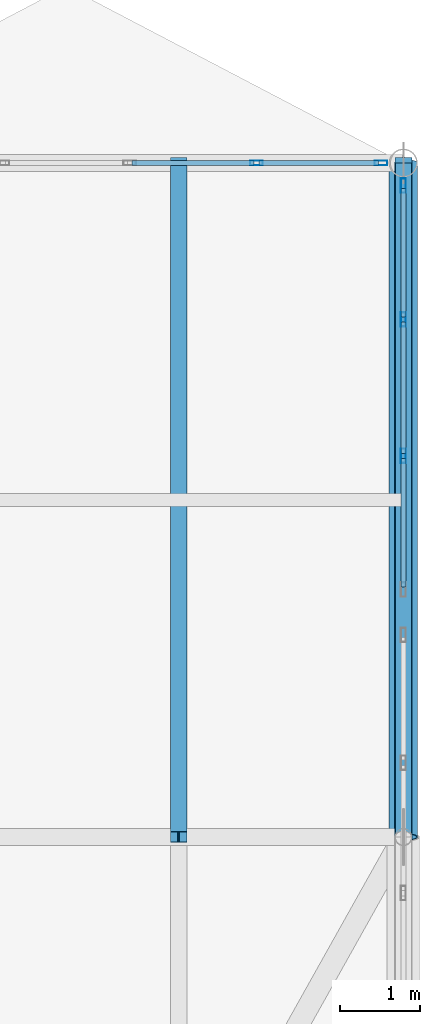
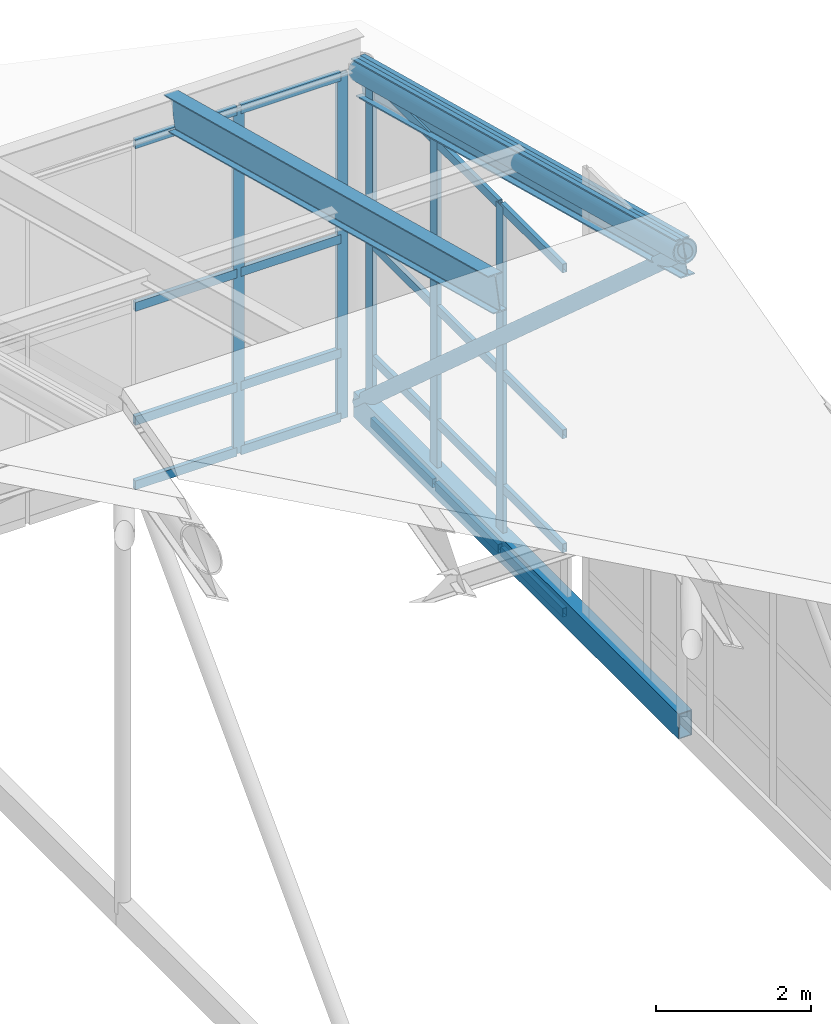
# One storey, part 35 of 43: 28 members, 2 beams, 2 elements without a shape of their own.
"""IFC4 building model written with IfcOpenShell, lengths in metres."""

from ifc_helpers import new_model, si_unit, direction, frame, origin, origin_2d, place, context, subcontext, project, spatial, hollow_rectangle, hollow_circle, i_section, extrude, material, layer, layer_set, material_profile, profile_set, type_object, element, aggregate, save


model = new_model("IFC4")

# Units and contexts
model_context = context("Model", 3, precision=1e-05, world=origin(), true_north=direction((0.0, 1.0)))
body_context = subcontext(model_context, "Body", "Model", "MODEL_VIEW")
ifc_project = project(units=[si_unit("LENGTHUNIT", "METRE"), si_unit("AREAUNIT", "SQUARE_METRE"), si_unit("VOLUMEUNIT", "CUBIC_METRE"), si_unit("PLANEANGLEUNIT", "RADIAN"), si_unit("MASSUNIT", "GRAM", prefix="KILO")], contexts=[model_context])

# Site, building, storey
site_placement = place(None, origin())
site = spatial("IfcSite", under=ifc_project, at=site_placement, CompositionType="ELEMENT")
building_placement = place(site_placement, origin())
building = spatial("IfcBuilding", under=site, at=building_placement, Name="Selat Folded Stagehouse", CompositionType="ELEMENT")
storey_placement = place(building_placement, frame((0.0, 0.0, 32.39990234375)))
storey = spatial("IfcBuildingStorey", under=building, at=storey_placement, Name="RF", CompositionType="ELEMENT", Elevation=32.39990234375)

# Beams
ifc_material_1 = material(Name="Steel S355", Category="steel")
ifc_material_profile_1 = material_profile(ifc_material_1, i_section(OverallWidth=0.210693359375, OverallDepth=0.53955078125, WebThickness=0.01171875, FlangeThickness=0.018798828125, FilletRadius=0.0126953125, at=origin_2d()), Name="UKB 533x210x109")
ifc_profile_set_1 = profile_set([ifc_material_profile_1], Name="Steel S355")
beam_type_1 = type_object("IfcBeamType", Name="BM-GIRD-533x210x109", PredefinedType="BEAM", material=ifc_profile_set_1)
beam_1_placement = place(storey_placement, frame((67.199951171875, 46.199951171875, 7.529296875), z_axis=(0.0, 0.966800633411, -0.25553186736), x_axis=(-1.0, 0.0, 0.0)))
element("IfcBeam", 1, at=beam_1_placement, inside=storey, type_object=beam_type_1, Name="RF primary north rafter beam 8", PredefinedType="BEAM", context=body_context, shape_type="SweptSolid", body=[
    extrude(i_section(OverallWidth=0.210693359375, OverallDepth=0.53955078125, WebThickness=0.01171875, FlangeThickness=0.018798828125, FilletRadius=0.0126953125, at=origin_2d()), origin(), (0.0, 0.0, 1.0), 8.688720703125),
])
ifc_material_profile_2 = material_profile(ifc_material_1, i_section(OverallWidth=0.209228515625, OverallDepth=0.533203125, WebThickness=0.010009765625, FlangeThickness=0.015625, FilletRadius=0.0126953125, at=origin_2d()), Name="UKB 533x210x92")
ifc_profile_set_2 = profile_set([ifc_material_profile_2], Name="Steel S355")
beam_type_2 = type_object("IfcBeamType", Name="BM-GIRD-533x210x92", PredefinedType="BEAM", material=ifc_profile_set_2)
beam_2_placement = place(storey_placement, frame((64.39990234375, 46.199951171875, 7.943359375), z_axis=(0.0, 0.966807574904, -0.255505602889), x_axis=(-1.0, 0.0, 0.0)))
element("IfcBeam", 2, at=beam_2_placement, inside=storey, type_object=beam_type_2, Name="RF bay 7 E north sub-rafter", PredefinedType="BEAM", context=body_context, shape_type="SweptSolid", body=[
    extrude(i_section(OverallWidth=0.209228515625, OverallDepth=0.533203125, WebThickness=0.010009765625, FlangeThickness=0.015625, FilletRadius=0.0126953125, at=origin_2d()), origin(), (0.0, 0.0, 1.0), 8.6884765625),
])

# Curtain wall, members
ifc_material_2 = material(Name="Aluminium 6063-T6", Category="aluminium")
ifc_layer = layer(ifc_material_2, 0.169921875)
ifc_layer_set = layer_set([ifc_layer], Name="Aluminium 6063-T6")
curtain_wall_type = type_object("IfcCurtainWallType", Name="CW-CRN-CLER", PredefinedType="NOTDEFINED", material=ifc_layer_set)
curtain_wall_1_placement = place(storey_placement, origin())
curtain_wall_1 = element("IfcCurtainWall", 3, at=curtain_wall_1_placement, inside=storey, type_object=curtain_wall_type, Name="RF curtain wall CW-RF-N-06", PredefinedType="NOTDEFINED")
ifc_material_profile_3 = material_profile(ifc_material_2, hollow_rectangle(XDim=0.06005859375, YDim=0.159912109375, WallThickness=0.00390625, at=origin_2d()), Name="ALU 160x60x4.0")
ifc_profile_set_3 = profile_set([ifc_material_profile_3], Name="Aluminium 6063-T6")
member_type_1 = type_object("IfcMemberType", Name="CWM-MUL-160x60", PredefinedType="MULLION", material=ifc_profile_set_3)
member_1_placement = place(storey_placement, frame((65.3701171875, 54.60009765625, 0.0), z_axis=(0.0, 0.0, 1.0), x_axis=(0.0, 1.0, 0.0)))
member_1 = element("IfcMember", 4, at=member_1_placement, type_object=member_type_1, Name="CW-09 mullion 5", PredefinedType="MULLION", context=body_context, shape_type="SweptSolid", body=[
    extrude(hollow_rectangle(XDim=0.06005859375, YDim=0.159912109375, WallThickness=0.00390625, at=origin_2d()), origin(), (0.0, 0.0, 1.0), 5.4501953125),
])
member_2_placement = place(storey_placement, frame((66.919921875, 54.60009765625, 0.0), z_axis=(0.0, 0.0, 1.0), x_axis=(0.0, 1.0, 0.0)))
member_2 = element("IfcMember", 5, at=member_2_placement, type_object=member_type_1, Name="CW-09 mullion 6", PredefinedType="MULLION", context=body_context, shape_type="SweptSolid", body=[
    extrude(hollow_rectangle(XDim=0.06005859375, YDim=0.159912109375, WallThickness=0.00390625, at=origin_2d()), origin(), (0.0, 0.0, 1.0), 5.4501953125),
])

curtain_wall_2_placement = place(storey_placement, origin())
curtain_wall_2 = element("IfcCurtainWall", 6, at=curtain_wall_2_placement, inside=storey, type_object=curtain_wall_type, Name="RF curtain wall CW-RF-E-00", PredefinedType="NOTDEFINED")
ifc_material_profile_4 = material_profile(ifc_material_2, hollow_rectangle(XDim=0.06494140625, YDim=0.179931640625, WallThickness=0.00390625, at=origin_2d()), Name="ALU 180x65x4.0")
ifc_profile_set_4 = profile_set([ifc_material_profile_4], Name="Aluminium 6063-T6")
member_type_2 = type_object("IfcMemberType", Name="CWM-MUL-180x65", PredefinedType="MULLION", material=ifc_profile_set_4)
member_3_placement = place(storey_placement, frame((67.199951171875, 54.3173828125, 0.0), z_axis=(0.0, 0.0, 1.0), x_axis=(1.0, 0.0, 0.0)))
member_3 = element("IfcMember", 7, at=member_3_placement, type_object=member_type_2, Name="CW-09 mullion 1", PredefinedType="MULLION", context=body_context, shape_type="SweptSolid", body=[
    extrude(hollow_rectangle(XDim=0.06494140625, YDim=0.179931640625, WallThickness=0.00390625, at=origin_2d()), origin(), (0.0, 0.0, 1.0), 5.5),
])
member_4_placement = place(storey_placement, frame((67.199951171875, 52.64990234375, 0.0), z_axis=(0.0, 0.0, 1.0), x_axis=(1.0, 0.0, 0.0)))
member_4 = element("IfcMember", 8, at=member_4_placement, type_object=member_type_2, Name="CW-09 mullion 2", PredefinedType="MULLION", context=body_context, shape_type="SweptSolid", body=[
    extrude(hollow_rectangle(XDim=0.06494140625, YDim=0.179931640625, WallThickness=0.00390625, at=origin_2d()), origin(), (0.0, 0.0, 1.0), 5.5),
])
member_5_placement = place(storey_placement, frame((67.199951171875, 50.949951171875, 0.0), z_axis=(0.0, 0.0, 1.0), x_axis=(1.0, 0.0, 0.0)))
member_5 = element("IfcMember", 9, at=member_5_placement, type_object=member_type_2, Name="CW-09 mullion 3", PredefinedType="MULLION", context=body_context, shape_type="SweptSolid", body=[
    extrude(hollow_rectangle(XDim=0.06494140625, YDim=0.179931640625, WallThickness=0.00390625, at=origin_2d()), origin(), (0.0, 0.0, 1.0), 5.5),
])

# Member
ifc_material_profile_5 = material_profile(ifc_material_2, hollow_rectangle(XDim=0.06494140625, YDim=0.139892578125, WallThickness=0.00390625, at=origin_2d()), Name="ALU 140x65x4.0")
ifc_profile_set_5 = profile_set([ifc_material_profile_5], Name="Aluminium 6063-T6")
member_type_3 = type_object("IfcMemberType", Name="CWM-TRN-140x65", PredefinedType="USERDEFINED", material=ifc_profile_set_5)
member_6_placement = place(storey_placement, frame((63.820068359375, 54.60009765625, 0.03271484375), z_axis=(1.0, 0.0, 0.0), x_axis=(0.0, 1.0, 0.0)))
member_6 = element("IfcMember", 10, at=member_6_placement, type_object=member_type_3, Name="CW-09 transom 4.1", ObjectType="TRANSOM", PredefinedType="USERDEFINED", context=body_context, shape_type="SweptSolid", body=[
    extrude(hollow_rectangle(XDim=0.06494140625, YDim=0.139892578125, WallThickness=0.00390625, at=origin_2d()), origin(), (0.0, 0.0, 1.0), 1.52001953125),
])

member_7_placement = place(storey_placement, frame((63.820068359375, 54.60009765625, 1.050048828125), z_axis=(1.0, 0.0, 0.0), x_axis=(0.0, 1.0, 0.0)))
member_7 = element("IfcMember", 11, at=member_7_placement, type_object=member_type_3, Name="CW-09 transom 4.2", ObjectType="TRANSOM", PredefinedType="USERDEFINED", context=body_context, shape_type="SweptSolid", body=[
    extrude(hollow_rectangle(XDim=0.06494140625, YDim=0.139892578125, WallThickness=0.00390625, at=origin_2d()), origin(), (0.0, 0.0, 1.0), 1.52001953125),
])

member_8_placement = place(storey_placement, frame((63.820068359375, 54.60009765625, 2.85009765625), z_axis=(1.0, 0.0, 0.0), x_axis=(0.0, 1.0, 0.0)))
member_8 = element("IfcMember", 12, at=member_8_placement, type_object=member_type_3, Name="CW-09 transom 4.3", ObjectType="TRANSOM", PredefinedType="USERDEFINED", context=body_context, shape_type="SweptSolid", body=[
    extrude(hollow_rectangle(XDim=0.06494140625, YDim=0.139892578125, WallThickness=0.00390625, at=origin_2d()), origin(), (0.0, 0.0, 1.0), 1.52001953125),
])

member_9_placement = place(storey_placement, frame((63.820068359375, 54.60009765625, 5.41748046875), z_axis=(1.0, 0.0, 0.0), x_axis=(0.0, 1.0, 0.0)))
member_9 = element("IfcMember", 13, at=member_9_placement, type_object=member_type_3, Name="CW-09 transom 4.4", ObjectType="TRANSOM", PredefinedType="USERDEFINED", context=body_context, shape_type="SweptSolid", body=[
    extrude(hollow_rectangle(XDim=0.06494140625, YDim=0.139892578125, WallThickness=0.00390625, at=origin_2d()), origin(), (0.0, 0.0, 1.0), 1.52001953125),
])

member_10_placement = place(storey_placement, frame((65.39990234375, 54.60009765625, 0.03271484375), z_axis=(1.0, 0.0, 0.0), x_axis=(0.0, 1.0, 0.0)))
member_10 = element("IfcMember", 14, at=member_10_placement, type_object=member_type_3, Name="CW-09 transom 5.1", ObjectType="TRANSOM", PredefinedType="USERDEFINED", context=body_context, shape_type="SweptSolid", body=[
    extrude(hollow_rectangle(XDim=0.06494140625, YDim=0.139892578125, WallThickness=0.00390625, at=origin_2d()), origin(), (0.0, 0.0, 1.0), 1.489990234375),
])

member_11_placement = place(storey_placement, frame((65.39990234375, 54.60009765625, 1.050048828125), z_axis=(1.0, 0.0, 0.0), x_axis=(0.0, 1.0, 0.0)))
member_11 = element("IfcMember", 15, at=member_11_placement, type_object=member_type_3, Name="CW-09 transom 5.2", ObjectType="TRANSOM", PredefinedType="USERDEFINED", context=body_context, shape_type="SweptSolid", body=[
    extrude(hollow_rectangle(XDim=0.06494140625, YDim=0.139892578125, WallThickness=0.00390625, at=origin_2d()), origin(), (0.0, 0.0, 1.0), 1.489990234375),
])

member_12_placement = place(storey_placement, frame((65.39990234375, 54.60009765625, 2.85009765625), z_axis=(1.0, 0.0, 0.0), x_axis=(0.0, 1.0, 0.0)))
member_12 = element("IfcMember", 16, at=member_12_placement, type_object=member_type_3, Name="CW-09 transom 5.3", ObjectType="TRANSOM", PredefinedType="USERDEFINED", context=body_context, shape_type="SweptSolid", body=[
    extrude(hollow_rectangle(XDim=0.06494140625, YDim=0.139892578125, WallThickness=0.00390625, at=origin_2d()), origin(), (0.0, 0.0, 1.0), 1.489990234375),
])

member_13_placement = place(storey_placement, frame((65.39990234375, 54.60009765625, 5.41748046875), z_axis=(1.0, 0.0, 0.0), x_axis=(0.0, 1.0, 0.0)))
member_13 = element("IfcMember", 17, at=member_13_placement, type_object=member_type_3, Name="CW-09 transom 5.4", ObjectType="TRANSOM", PredefinedType="USERDEFINED", context=body_context, shape_type="SweptSolid", body=[
    extrude(hollow_rectangle(XDim=0.06494140625, YDim=0.139892578125, WallThickness=0.00390625, at=origin_2d()), origin(), (0.0, 0.0, 1.0), 1.489990234375),
])

aggregate(curtain_wall_1, [member_1, member_2, member_6, member_7, member_8, member_9, member_10, member_11, member_12, member_13])

member_14_placement = place(storey_placement, frame((67.199951171875, 54.284912109375, 0.03271484375), z_axis=(0.0, -1.0, 0.0), x_axis=(1.0, 0.0, 0.0)))
member_14 = element("IfcMember", 18, at=member_14_placement, type_object=member_type_3, Name="CW-09 transom 1.1", ObjectType="TRANSOM", PredefinedType="USERDEFINED", context=body_context, shape_type="SweptSolid", body=[
    extrude(hollow_rectangle(XDim=0.06494140625, YDim=0.139892578125, WallThickness=0.00390625, at=origin_2d()), origin(), (0.0, 0.0, 1.0), 1.602294921875),
])

member_15_placement = place(storey_placement, frame((67.199951171875, 54.284912109375, 1.050048828125), z_axis=(0.0, -1.0, 0.0), x_axis=(1.0, 0.0, 0.0)))
member_15 = element("IfcMember", 19, at=member_15_placement, type_object=member_type_3, Name="CW-09 transom 1.2", ObjectType="TRANSOM", PredefinedType="USERDEFINED", context=body_context, shape_type="SweptSolid", body=[
    extrude(hollow_rectangle(XDim=0.06494140625, YDim=0.139892578125, WallThickness=0.00390625, at=origin_2d()), origin(), (0.0, 0.0, 1.0), 1.602294921875),
])

member_16_placement = place(storey_placement, frame((67.199951171875, 54.284912109375, 2.85009765625), z_axis=(0.0, -1.0, 0.0), x_axis=(1.0, 0.0, 0.0)))
member_16 = element("IfcMember", 20, at=member_16_placement, type_object=member_type_3, Name="CW-09 transom 1.3", ObjectType="TRANSOM", PredefinedType="USERDEFINED", context=body_context, shape_type="SweptSolid", body=[
    extrude(hollow_rectangle(XDim=0.06494140625, YDim=0.139892578125, WallThickness=0.00390625, at=origin_2d()), origin(), (0.0, 0.0, 1.0), 1.602294921875),
])

member_17_placement = place(storey_placement, frame((67.199951171875, 54.284912109375, 5.467529296875), z_axis=(0.0, -1.0, 0.0), x_axis=(1.0, 0.0, 0.0)))
member_17 = element("IfcMember", 21, at=member_17_placement, type_object=member_type_3, Name="CW-09 transom 1.4", ObjectType="TRANSOM", PredefinedType="USERDEFINED", context=body_context, shape_type="SweptSolid", body=[
    extrude(hollow_rectangle(XDim=0.06494140625, YDim=0.139892578125, WallThickness=0.00390625, at=origin_2d()), origin(), (0.0, 0.0, 1.0), 1.602294921875),
])

member_18_placement = place(storey_placement, frame((67.199951171875, 52.617431640625, 0.03271484375), z_axis=(0.0, -1.0, 0.0), x_axis=(1.0, 0.0, 0.0)))
member_18 = element("IfcMember", 22, at=member_18_placement, type_object=member_type_3, Name="CW-09 transom 2.1", ObjectType="TRANSOM", PredefinedType="USERDEFINED", context=body_context, shape_type="SweptSolid", body=[
    extrude(hollow_rectangle(XDim=0.06494140625, YDim=0.139892578125, WallThickness=0.00390625, at=origin_2d()), origin(), (0.0, 0.0, 1.0), 1.635009765625),
])

member_19_placement = place(storey_placement, frame((67.199951171875, 52.617431640625, 1.050048828125), z_axis=(0.0, -1.0, 0.0), x_axis=(1.0, 0.0, 0.0)))
member_19 = element("IfcMember", 23, at=member_19_placement, type_object=member_type_3, Name="CW-09 transom 2.2", ObjectType="TRANSOM", PredefinedType="USERDEFINED", context=body_context, shape_type="SweptSolid", body=[
    extrude(hollow_rectangle(XDim=0.06494140625, YDim=0.139892578125, WallThickness=0.00390625, at=origin_2d()), origin(), (0.0, 0.0, 1.0), 1.635009765625),
])

member_20_placement = place(storey_placement, frame((67.199951171875, 52.617431640625, 2.85009765625), z_axis=(0.0, -1.0, 0.0), x_axis=(1.0, 0.0, 0.0)))
member_20 = element("IfcMember", 24, at=member_20_placement, type_object=member_type_3, Name="CW-09 transom 2.3", ObjectType="TRANSOM", PredefinedType="USERDEFINED", context=body_context, shape_type="SweptSolid", body=[
    extrude(hollow_rectangle(XDim=0.06494140625, YDim=0.139892578125, WallThickness=0.00390625, at=origin_2d()), origin(), (0.0, 0.0, 1.0), 1.635009765625),
])

member_21_placement = place(storey_placement, frame((67.199951171875, 52.617431640625, 5.467529296875), z_axis=(0.0, -1.0, 0.0), x_axis=(1.0, 0.0, 0.0)))
member_21 = element("IfcMember", 25, at=member_21_placement, type_object=member_type_3, Name="CW-09 transom 2.4", ObjectType="TRANSOM", PredefinedType="USERDEFINED", context=body_context, shape_type="SweptSolid", body=[
    extrude(hollow_rectangle(XDim=0.06494140625, YDim=0.139892578125, WallThickness=0.00390625, at=origin_2d()), origin(), (0.0, 0.0, 1.0), 1.635009765625),
])

member_22_placement = place(storey_placement, frame((67.199951171875, 50.91748046875, 0.03271484375), z_axis=(0.0, -1.0, 0.0), x_axis=(1.0, 0.0, 0.0)))
member_22 = element("IfcMember", 26, at=member_22_placement, type_object=member_type_3, Name="CW-09 transom 3.1", ObjectType="TRANSOM", PredefinedType="USERDEFINED", context=body_context, shape_type="SweptSolid", body=[
    extrude(hollow_rectangle(XDim=0.06494140625, YDim=0.139892578125, WallThickness=0.00390625, at=origin_2d()), origin(), (0.0, 0.0, 1.0), 1.6025390625),
])

member_23_placement = place(storey_placement, frame((67.199951171875, 50.91748046875, 1.050048828125), z_axis=(0.0, -1.0, 0.0), x_axis=(1.0, 0.0, 0.0)))
member_23 = element("IfcMember", 27, at=member_23_placement, type_object=member_type_3, Name="CW-09 transom 3.2", ObjectType="TRANSOM", PredefinedType="USERDEFINED", context=body_context, shape_type="SweptSolid", body=[
    extrude(hollow_rectangle(XDim=0.06494140625, YDim=0.139892578125, WallThickness=0.00390625, at=origin_2d()), origin(), (0.0, 0.0, 1.0), 1.6025390625),
])

member_24_placement = place(storey_placement, frame((67.199951171875, 50.91748046875, 2.85009765625), z_axis=(0.0, -1.0, 0.0), x_axis=(1.0, 0.0, 0.0)))
member_24 = element("IfcMember", 28, at=member_24_placement, type_object=member_type_3, Name="CW-09 transom 3.3", ObjectType="TRANSOM", PredefinedType="USERDEFINED", context=body_context, shape_type="SweptSolid", body=[
    extrude(hollow_rectangle(XDim=0.06494140625, YDim=0.139892578125, WallThickness=0.00390625, at=origin_2d()), origin(), (0.0, 0.0, 1.0), 1.6025390625),
])

member_25_placement = place(storey_placement, frame((67.199951171875, 50.91748046875, 5.467529296875), z_axis=(0.0, -1.0, 0.0), x_axis=(1.0, 0.0, 0.0)))
member_25 = element("IfcMember", 29, at=member_25_placement, type_object=member_type_3, Name="CW-09 transom 3.4", ObjectType="TRANSOM", PredefinedType="USERDEFINED", context=body_context, shape_type="SweptSolid", body=[
    extrude(hollow_rectangle(XDim=0.06494140625, YDim=0.139892578125, WallThickness=0.00390625, at=origin_2d()), origin(), (0.0, 0.0, 1.0), 1.6025390625),
])

aggregate(curtain_wall_2, [member_3, member_4, member_5, member_14, member_15, member_16, member_17, member_18, member_19, member_20, member_21, member_22, member_23, member_24, member_25])

# Members
ifc_material_profile_6 = material_profile(ifc_material_1, hollow_circle(Radius=0.109619140625, WallThickness=0.010009765625, at=origin_2d()), Name="CHS 219.1x10.0")
ifc_profile_set_6 = profile_set([ifc_material_profile_6], Name="Steel S355")
member_type_4 = type_object("IfcMemberType", Name="MEM-BRACE-CHS219", PredefinedType="BRACE", material=ifc_profile_set_6)
member_26_placement = place(storey_placement, frame((67.199951171875, 46.199951171875, 7.6279296875), z_axis=(0.0, 0.746924046978, -0.664909368294), x_axis=(-1.0, 0.0, 0.0)))
element("IfcMember", 30, at=member_26_placement, inside=storey, type_object=member_type_4, Name="Folded-plate web diagonal 8.4", PredefinedType="BRACE", context=body_context, shape_type="SweptSolid", body=[
    extrude(hollow_circle(Radius=0.109619140625, WallThickness=0.010009765625, at=origin_2d()), origin(), (0.0, 0.0, 1.0), 11.246337890625),
])
ifc_material_profile_7 = material_profile(ifc_material_1, hollow_circle(Radius=0.177734375, WallThickness=0.01611328125, at=origin_2d()), Name="CHS 355.6x16.0")
ifc_profile_set_7 = profile_set([ifc_material_profile_7], Name="Steel S355")
member_type_5 = type_object("IfcMemberType", Name="MEM-CHORD-CHS355", PredefinedType="CHORD", material=ifc_profile_set_7)
member_27_placement = place(storey_placement, frame((67.199951171875, 46.199951171875, 7.6279296875), z_axis=(0.0, 0.966807574904, -0.255505602889), x_axis=(-1.0, 0.0, 0.0)))
element("IfcMember", 31, at=member_27_placement, inside=storey, type_object=member_type_5, Name="Folded-plate top chord 8.4", PredefinedType="CHORD", context=body_context, shape_type="SweptSolid", body=[
    extrude(hollow_circle(Radius=0.177734375, WallThickness=0.01611328125, at=origin_2d()), origin(), (0.0, 0.0, 1.0), 8.6884765625),
])
ifc_material_profile_8 = material_profile(ifc_material_1, hollow_rectangle(XDim=0.199951171875, YDim=0.39990234375, WallThickness=0.012451171875, at=origin_2d()), Name="RHS 400x200x12.5")
ifc_profile_set_8 = profile_set([ifc_material_profile_8], Name="Steel S355")
member_type_6 = type_object("IfcMemberType", Name="MEM-CHORD-RHS400", PredefinedType="CHORD", material=ifc_profile_set_8)
member_28_placement = place(storey_placement, frame((67.199951171875, 46.199951171875, 0.150146484375), z_axis=(0.0, 1.0, 0.0), x_axis=(-1.0, 0.0, 0.0)))
element("IfcMember", 32, at=member_28_placement, inside=storey, type_object=member_type_6, Name="Folded-plate bottom tie 8.4", PredefinedType="CHORD", context=body_context, shape_type="SweptSolid", body=[
    extrude(hollow_rectangle(XDim=0.199951171875, YDim=0.39990234375, WallThickness=0.012451171875, at=origin_2d()), origin(), (0.0, 0.0, 1.0), 8.400146484375),
])

save(model, "model.ifc")
